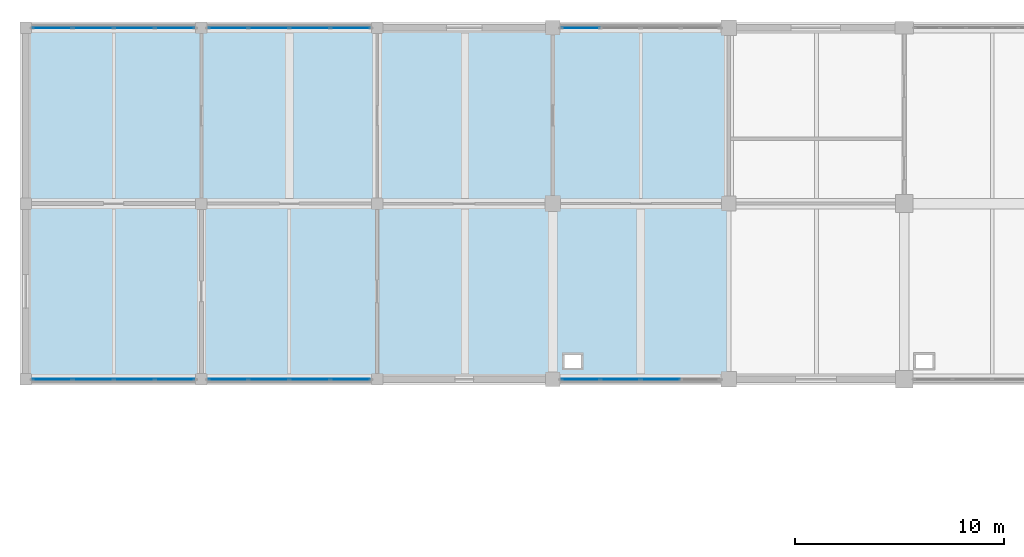
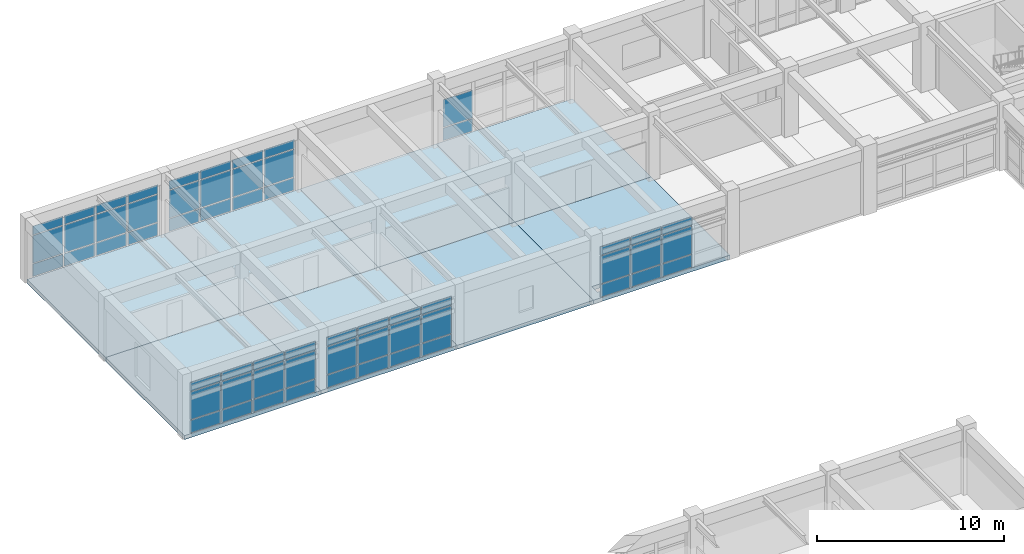
# One storey, part 66 of 99: 59 plates, 8 slabs, 6 elements without a shape of their own.
"""IFC4 building model written with IfcOpenShell, lengths in metres."""

from ifc_helpers import new_model, si_unit, direction, frame, origin, origin_2d, place, context, subcontext, project, spatial, polyline, rectangle, outline, extrude, material, layer, layer_set, type_object, element, aggregate, save


model = new_model("IFC4")

# Units and contexts
model_context = context("Model", 3, precision=1e-05, world=origin(), true_north=direction((0.0, 1.0)))
body_context = subcontext(model_context, "Body", "Model", "MODEL_VIEW")
ifc_project = project(units=[si_unit("LENGTHUNIT", "METRE"), si_unit("AREAUNIT", "SQUARE_METRE"), si_unit("VOLUMEUNIT", "CUBIC_METRE"), si_unit("PLANEANGLEUNIT", "RADIAN"), si_unit("MASSUNIT", "GRAM", prefix="KILO")], contexts=[model_context])

# Site, building, storey
site_placement = place(None, origin())
site = spatial("IfcSite", under=ifc_project, at=site_placement, CompositionType="ELEMENT")
building_placement = place(site_placement, origin())
building = spatial("IfcBuilding", under=site, at=building_placement, Name="Porcellanite Civic Hall", CompositionType="ELEMENT")
storey_placement = place(building_placement, frame((0.0, 0.0, 5.760009765625)))
storey = spatial("IfcBuildingStorey", under=building, at=storey_placement, Name="L01", CompositionType="ELEMENT", Elevation=5.760009765625)

# Curtain wall, plates
ifc_material_1 = material(Name="Anodised aluminium and solar laminated glass", Category="aluminium")
ifc_layer_1 = layer(ifc_material_1, 0.179931640625)
ifc_layer_set_1 = layer_set([ifc_layer_1], Name="Anodised aluminium and solar laminated glass")
curtain_wall_type = type_object("IfcCurtainWallType", Name="CW-SYS05", PredefinedType="NOTDEFINED", material=ifc_layer_set_1)
curtain_wall_1_placement = place(storey_placement, origin())
curtain_wall_1 = element("IfcCurtainWall", 1, at=curtain_wall_1_placement, inside=storey, type_object=curtain_wall_type, Name="Curtain wall CW-064", PredefinedType="NOTDEFINED")
ifc_material_2 = material(Name="Cyclone laminated solar-control low-E glass", Category="glass")
ifc_layer_2 = layer(ifc_material_2, 0.028076171875)
ifc_layer_set_2 = layer_set([ifc_layer_2], Name="Cyclone laminated solar-control low-E glass")
plate_type = type_object("IfcPlateType", Name="CWP-03", PredefinedType="CURTAIN_PANEL", material=ifc_layer_set_2)
plate_1_placement = place(storey_placement, frame((7.12548828125, 100.800048828125, 0.06005859375), z_axis=(0.0, 0.0, 1.0), x_axis=(-1.0, 0.0, 0.0)))
plate_1 = element("IfcPlate", 2, at=plate_1_placement, type_object=plate_type, Name="CW-064 panel 1.1", PredefinedType="CURTAIN_PANEL", context=body_context, shape_type="SweptSolid", body=[
    extrude(rectangle(XDim=1.85693359375, YDim=0.028076171875, at=origin_2d()), origin(), (0.0, 0.0, 1.0), 0.81005859375),
])
plate_2_placement = place(storey_placement, frame((7.12548828125, 100.800048828125, 0.929931640625), z_axis=(0.0, 0.0, 1.0), x_axis=(-1.0, 0.0, 0.0)))
plate_2 = element("IfcPlate", 3, at=plate_2_placement, type_object=plate_type, Name="CW-064 panel 1.2", PredefinedType="CURTAIN_PANEL", context=body_context, shape_type="SweptSolid", body=[
    extrude(rectangle(XDim=1.85693359375, YDim=0.028076171875, at=origin_2d()), origin(), (0.0, 0.0, 1.0), 1.7900390625),
])
plate_3_placement = place(storey_placement, frame((7.12548828125, 100.800048828125, 2.780029296875), z_axis=(0.0, 0.0, 1.0), x_axis=(-1.0, 0.0, 0.0)))
plate_3 = element("IfcPlate", 4, at=plate_3_placement, type_object=plate_type, Name="CW-064 panel 1.3", PredefinedType="CURTAIN_PANEL", context=body_context, shape_type="SweptSolid", body=[
    extrude(rectangle(XDim=1.85693359375, YDim=0.028076171875, at=origin_2d()), origin(), (0.0, 0.0, 1.0), 0.56005859375),
])
plate_4_placement = place(storey_placement, frame((5.180908203125, 100.800048828125, 0.06005859375), z_axis=(0.0, 0.0, 1.0), x_axis=(-1.0, 0.0, 0.0)))
plate_4 = element("IfcPlate", 5, at=plate_4_placement, type_object=plate_type, Name="CW-064 panel 2.1", PredefinedType="CURTAIN_PANEL", context=body_context, shape_type="SweptSolid", body=[
    extrude(rectangle(XDim=1.89208984375, YDim=0.028076171875, at=origin_2d()), origin(), (0.0, 0.0, 1.0), 0.81005859375),
])
plate_5_placement = place(storey_placement, frame((5.180908203125, 100.800048828125, 0.929931640625), z_axis=(0.0, 0.0, 1.0), x_axis=(-1.0, 0.0, 0.0)))
plate_5 = element("IfcPlate", 6, at=plate_5_placement, type_object=plate_type, Name="CW-064 panel 2.2", PredefinedType="CURTAIN_PANEL", context=body_context, shape_type="SweptSolid", body=[
    extrude(rectangle(XDim=1.89208984375, YDim=0.028076171875, at=origin_2d()), origin(), (0.0, 0.0, 1.0), 1.7900390625),
])
plate_6_placement = place(storey_placement, frame((5.180908203125, 100.800048828125, 2.780029296875), z_axis=(0.0, 0.0, 1.0), x_axis=(-1.0, 0.0, 0.0)))
plate_6 = element("IfcPlate", 7, at=plate_6_placement, type_object=plate_type, Name="CW-064 panel 2.3", PredefinedType="CURTAIN_PANEL", context=body_context, shape_type="SweptSolid", body=[
    extrude(rectangle(XDim=1.89208984375, YDim=0.028076171875, at=origin_2d()), origin(), (0.0, 0.0, 1.0), 0.56005859375),
])
plate_7_placement = place(storey_placement, frame((3.218994140625, 100.800048828125, 0.06005859375), z_axis=(0.0, 0.0, 1.0), x_axis=(-1.0, 0.0, 0.0)))
plate_7 = element("IfcPlate", 8, at=plate_7_placement, type_object=plate_type, Name="CW-064 panel 3.1", PredefinedType="CURTAIN_PANEL", context=body_context, shape_type="SweptSolid", body=[
    extrude(rectangle(XDim=1.89208984375, YDim=0.028076171875, at=origin_2d()), origin(), (0.0, 0.0, 1.0), 0.81005859375),
])
plate_8_placement = place(storey_placement, frame((3.218994140625, 100.800048828125, 0.929931640625), z_axis=(0.0, 0.0, 1.0), x_axis=(-1.0, 0.0, 0.0)))
plate_8 = element("IfcPlate", 9, at=plate_8_placement, type_object=plate_type, Name="CW-064 panel 3.2", PredefinedType="CURTAIN_PANEL", context=body_context, shape_type="SweptSolid", body=[
    extrude(rectangle(XDim=1.89208984375, YDim=0.028076171875, at=origin_2d()), origin(), (0.0, 0.0, 1.0), 1.7900390625),
])
plate_9_placement = place(storey_placement, frame((3.218994140625, 100.800048828125, 2.780029296875), z_axis=(0.0, 0.0, 1.0), x_axis=(-1.0, 0.0, 0.0)))
plate_9 = element("IfcPlate", 10, at=plate_9_placement, type_object=plate_type, Name="CW-064 panel 3.3", PredefinedType="CURTAIN_PANEL", context=body_context, shape_type="SweptSolid", body=[
    extrude(rectangle(XDim=1.89208984375, YDim=0.028076171875, at=origin_2d()), origin(), (0.0, 0.0, 1.0), 0.56005859375),
])
plate_10_placement = place(storey_placement, frame((1.2744140625, 100.800048828125, 0.06005859375), z_axis=(0.0, 0.0, 1.0), x_axis=(-1.0, 0.0, 0.0)))
plate_10 = element("IfcPlate", 11, at=plate_10_placement, type_object=plate_type, Name="CW-064 panel 4.1", PredefinedType="CURTAIN_PANEL", context=body_context, shape_type="SweptSolid", body=[
    extrude(rectangle(XDim=1.85693359375, YDim=0.028076171875, at=origin_2d()), origin(), (0.0, 0.0, 1.0), 0.81005859375),
])
plate_11_placement = place(storey_placement, frame((1.2744140625, 100.800048828125, 0.929931640625), z_axis=(0.0, 0.0, 1.0), x_axis=(-1.0, 0.0, 0.0)))
plate_11 = element("IfcPlate", 12, at=plate_11_placement, type_object=plate_type, Name="CW-064 panel 4.2", PredefinedType="CURTAIN_PANEL", context=body_context, shape_type="SweptSolid", body=[
    extrude(rectangle(XDim=1.85693359375, YDim=0.028076171875, at=origin_2d()), origin(), (0.0, 0.0, 1.0), 1.7900390625),
])
plate_12_placement = place(storey_placement, frame((1.2744140625, 100.800048828125, 2.780029296875), z_axis=(0.0, 0.0, 1.0), x_axis=(-1.0, 0.0, 0.0)))
plate_12 = element("IfcPlate", 13, at=plate_12_placement, type_object=plate_type, Name="CW-064 panel 4.3", PredefinedType="CURTAIN_PANEL", context=body_context, shape_type="SweptSolid", body=[
    extrude(rectangle(XDim=1.85693359375, YDim=0.028076171875, at=origin_2d()), origin(), (0.0, 0.0, 1.0), 0.56005859375),
])
aggregate(curtain_wall_1, [plate_1, plate_2, plate_3, plate_4, plate_5, plate_6, plate_7, plate_8, plate_9, plate_10, plate_11, plate_12])

curtain_wall_2_placement = place(storey_placement, origin())
curtain_wall_2 = element("IfcCurtainWall", 14, at=curtain_wall_2_placement, inside=storey, type_object=curtain_wall_type, Name="Curtain wall CW-065", PredefinedType="NOTDEFINED")
plate_13_placement = place(storey_placement, frame((1.2744140625, 117.60009765625, 0.06005859375), z_axis=(0.0, 0.0, 1.0), x_axis=(1.0, 0.0, 0.0)))
plate_13 = element("IfcPlate", 15, at=plate_13_placement, type_object=plate_type, Name="CW-065 panel 1.1", PredefinedType="CURTAIN_PANEL", context=body_context, shape_type="SweptSolid", body=[
    extrude(rectangle(XDim=1.85693359375, YDim=0.028076171875, at=origin_2d()), origin(), (0.0, 0.0, 1.0), 0.81005859375),
])
plate_14_placement = place(storey_placement, frame((1.2744140625, 117.60009765625, 0.929931640625), z_axis=(0.0, 0.0, 1.0), x_axis=(1.0, 0.0, 0.0)))
plate_14 = element("IfcPlate", 16, at=plate_14_placement, type_object=plate_type, Name="CW-065 panel 1.2", PredefinedType="CURTAIN_PANEL", context=body_context, shape_type="SweptSolid", body=[
    extrude(rectangle(XDim=1.85693359375, YDim=0.028076171875, at=origin_2d()), origin(), (0.0, 0.0, 1.0), 1.7900390625),
])
plate_15_placement = place(storey_placement, frame((1.2744140625, 117.60009765625, 2.780029296875), z_axis=(0.0, 0.0, 1.0), x_axis=(1.0, 0.0, 0.0)))
plate_15 = element("IfcPlate", 17, at=plate_15_placement, type_object=plate_type, Name="CW-065 panel 1.3", PredefinedType="CURTAIN_PANEL", context=body_context, shape_type="SweptSolid", body=[
    extrude(rectangle(XDim=1.85693359375, YDim=0.028076171875, at=origin_2d()), origin(), (0.0, 0.0, 1.0), 0.56005859375),
])
plate_16_placement = place(storey_placement, frame((3.218994140625, 117.60009765625, 0.06005859375), z_axis=(0.0, 0.0, 1.0), x_axis=(1.0, 0.0, 0.0)))
plate_16 = element("IfcPlate", 18, at=plate_16_placement, type_object=plate_type, Name="CW-065 panel 2.1", PredefinedType="CURTAIN_PANEL", context=body_context, shape_type="SweptSolid", body=[
    extrude(rectangle(XDim=1.89208984375, YDim=0.028076171875, at=origin_2d()), origin(), (0.0, 0.0, 1.0), 0.81005859375),
])
plate_17_placement = place(storey_placement, frame((3.218994140625, 117.60009765625, 0.929931640625), z_axis=(0.0, 0.0, 1.0), x_axis=(1.0, 0.0, 0.0)))
plate_17 = element("IfcPlate", 19, at=plate_17_placement, type_object=plate_type, Name="CW-065 panel 2.2", PredefinedType="CURTAIN_PANEL", context=body_context, shape_type="SweptSolid", body=[
    extrude(rectangle(XDim=1.89208984375, YDim=0.028076171875, at=origin_2d()), origin(), (0.0, 0.0, 1.0), 1.7900390625),
])
plate_18_placement = place(storey_placement, frame((3.218994140625, 117.60009765625, 2.780029296875), z_axis=(0.0, 0.0, 1.0), x_axis=(1.0, 0.0, 0.0)))
plate_18 = element("IfcPlate", 20, at=plate_18_placement, type_object=plate_type, Name="CW-065 panel 2.3", PredefinedType="CURTAIN_PANEL", context=body_context, shape_type="SweptSolid", body=[
    extrude(rectangle(XDim=1.89208984375, YDim=0.028076171875, at=origin_2d()), origin(), (0.0, 0.0, 1.0), 0.56005859375),
])
plate_19_placement = place(storey_placement, frame((5.180908203125, 117.60009765625, 0.06005859375), z_axis=(0.0, 0.0, 1.0), x_axis=(1.0, 0.0, 0.0)))
plate_19 = element("IfcPlate", 21, at=plate_19_placement, type_object=plate_type, Name="CW-065 panel 3.1", PredefinedType="CURTAIN_PANEL", context=body_context, shape_type="SweptSolid", body=[
    extrude(rectangle(XDim=1.89208984375, YDim=0.028076171875, at=origin_2d()), origin(), (0.0, 0.0, 1.0), 0.81005859375),
])
plate_20_placement = place(storey_placement, frame((5.180908203125, 117.60009765625, 0.929931640625), z_axis=(0.0, 0.0, 1.0), x_axis=(1.0, 0.0, 0.0)))
plate_20 = element("IfcPlate", 22, at=plate_20_placement, type_object=plate_type, Name="CW-065 panel 3.2", PredefinedType="CURTAIN_PANEL", context=body_context, shape_type="SweptSolid", body=[
    extrude(rectangle(XDim=1.89208984375, YDim=0.028076171875, at=origin_2d()), origin(), (0.0, 0.0, 1.0), 1.7900390625),
])
plate_21_placement = place(storey_placement, frame((5.180908203125, 117.60009765625, 2.780029296875), z_axis=(0.0, 0.0, 1.0), x_axis=(1.0, 0.0, 0.0)))
plate_21 = element("IfcPlate", 23, at=plate_21_placement, type_object=plate_type, Name="CW-065 panel 3.3", PredefinedType="CURTAIN_PANEL", context=body_context, shape_type="SweptSolid", body=[
    extrude(rectangle(XDim=1.89208984375, YDim=0.028076171875, at=origin_2d()), origin(), (0.0, 0.0, 1.0), 0.56005859375),
])
plate_22_placement = place(storey_placement, frame((7.12548828125, 117.60009765625, 0.06005859375), z_axis=(0.0, 0.0, 1.0), x_axis=(1.0, 0.0, 0.0)))
plate_22 = element("IfcPlate", 24, at=plate_22_placement, type_object=plate_type, Name="CW-065 panel 4.1", PredefinedType="CURTAIN_PANEL", context=body_context, shape_type="SweptSolid", body=[
    extrude(rectangle(XDim=1.85693359375, YDim=0.028076171875, at=origin_2d()), origin(), (0.0, 0.0, 1.0), 0.81005859375),
])
plate_23_placement = place(storey_placement, frame((7.12548828125, 117.60009765625, 0.929931640625), z_axis=(0.0, 0.0, 1.0), x_axis=(1.0, 0.0, 0.0)))
plate_23 = element("IfcPlate", 25, at=plate_23_placement, type_object=plate_type, Name="CW-065 panel 4.2", PredefinedType="CURTAIN_PANEL", context=body_context, shape_type="SweptSolid", body=[
    extrude(rectangle(XDim=1.85693359375, YDim=0.028076171875, at=origin_2d()), origin(), (0.0, 0.0, 1.0), 1.7900390625),
])
plate_24_placement = place(storey_placement, frame((7.12548828125, 117.60009765625, 2.780029296875), z_axis=(0.0, 0.0, 1.0), x_axis=(1.0, 0.0, 0.0)))
plate_24 = element("IfcPlate", 26, at=plate_24_placement, type_object=plate_type, Name="CW-065 panel 4.3", PredefinedType="CURTAIN_PANEL", context=body_context, shape_type="SweptSolid", body=[
    extrude(rectangle(XDim=1.85693359375, YDim=0.028076171875, at=origin_2d()), origin(), (0.0, 0.0, 1.0), 0.56005859375),
])
aggregate(curtain_wall_2, [plate_13, plate_14, plate_15, plate_16, plate_17, plate_18, plate_19, plate_20, plate_21, plate_22, plate_23, plate_24])

curtain_wall_3_placement = place(storey_placement, origin())
curtain_wall_3 = element("IfcCurtainWall", 27, at=curtain_wall_3_placement, inside=storey, type_object=curtain_wall_type, Name="Curtain wall CW-067", PredefinedType="NOTDEFINED")
plate_25_placement = place(storey_placement, frame((15.525390625, 100.800048828125, 0.06005859375), z_axis=(0.0, 0.0, 1.0), x_axis=(-1.0, 0.0, 0.0)))
plate_25 = element("IfcPlate", 28, at=plate_25_placement, type_object=plate_type, Name="CW-067 panel 1.1", PredefinedType="CURTAIN_PANEL", context=body_context, shape_type="SweptSolid", body=[
    extrude(rectangle(XDim=1.85693359375, YDim=0.028076171875, at=origin_2d()), origin(), (0.0, 0.0, 1.0), 0.81005859375),
])
plate_26_placement = place(storey_placement, frame((15.525390625, 100.800048828125, 0.929931640625), z_axis=(0.0, 0.0, 1.0), x_axis=(-1.0, 0.0, 0.0)))
plate_26 = element("IfcPlate", 29, at=plate_26_placement, type_object=plate_type, Name="CW-067 panel 1.2", PredefinedType="CURTAIN_PANEL", context=body_context, shape_type="SweptSolid", body=[
    extrude(rectangle(XDim=1.85693359375, YDim=0.028076171875, at=origin_2d()), origin(), (0.0, 0.0, 1.0), 1.7900390625),
])
plate_27_placement = place(storey_placement, frame((15.525390625, 100.800048828125, 2.780029296875), z_axis=(0.0, 0.0, 1.0), x_axis=(-1.0, 0.0, 0.0)))
plate_27 = element("IfcPlate", 30, at=plate_27_placement, type_object=plate_type, Name="CW-067 panel 1.3", PredefinedType="CURTAIN_PANEL", context=body_context, shape_type="SweptSolid", body=[
    extrude(rectangle(XDim=1.85693359375, YDim=0.028076171875, at=origin_2d()), origin(), (0.0, 0.0, 1.0), 0.56005859375),
])
plate_28_placement = place(storey_placement, frame((13.5810546875, 100.800048828125, 0.06005859375), z_axis=(0.0, 0.0, 1.0), x_axis=(-1.0, 0.0, 0.0)))
plate_28 = element("IfcPlate", 31, at=plate_28_placement, type_object=plate_type, Name="CW-067 panel 2.1", PredefinedType="CURTAIN_PANEL", context=body_context, shape_type="SweptSolid", body=[
    extrude(rectangle(XDim=1.89208984375, YDim=0.028076171875, at=origin_2d()), origin(), (0.0, 0.0, 1.0), 0.81005859375),
])
plate_29_placement = place(storey_placement, frame((13.5810546875, 100.800048828125, 0.929931640625), z_axis=(0.0, 0.0, 1.0), x_axis=(-1.0, 0.0, 0.0)))
plate_29 = element("IfcPlate", 32, at=plate_29_placement, type_object=plate_type, Name="CW-067 panel 2.2", PredefinedType="CURTAIN_PANEL", context=body_context, shape_type="SweptSolid", body=[
    extrude(rectangle(XDim=1.89208984375, YDim=0.028076171875, at=origin_2d()), origin(), (0.0, 0.0, 1.0), 1.7900390625),
])
plate_30_placement = place(storey_placement, frame((13.5810546875, 100.800048828125, 2.780029296875), z_axis=(0.0, 0.0, 1.0), x_axis=(-1.0, 0.0, 0.0)))
plate_30 = element("IfcPlate", 33, at=plate_30_placement, type_object=plate_type, Name="CW-067 panel 2.3", PredefinedType="CURTAIN_PANEL", context=body_context, shape_type="SweptSolid", body=[
    extrude(rectangle(XDim=1.89208984375, YDim=0.028076171875, at=origin_2d()), origin(), (0.0, 0.0, 1.0), 0.56005859375),
])
plate_31_placement = place(storey_placement, frame((11.618896484375, 100.800048828125, 0.06005859375), z_axis=(0.0, 0.0, 1.0), x_axis=(-1.0, 0.0, 0.0)))
plate_31 = element("IfcPlate", 34, at=plate_31_placement, type_object=plate_type, Name="CW-067 panel 3.1", PredefinedType="CURTAIN_PANEL", context=body_context, shape_type="SweptSolid", body=[
    extrude(rectangle(XDim=1.89208984375, YDim=0.028076171875, at=origin_2d()), origin(), (0.0, 0.0, 1.0), 0.81005859375),
])
plate_32_placement = place(storey_placement, frame((11.618896484375, 100.800048828125, 0.929931640625), z_axis=(0.0, 0.0, 1.0), x_axis=(-1.0, 0.0, 0.0)))
plate_32 = element("IfcPlate", 35, at=plate_32_placement, type_object=plate_type, Name="CW-067 panel 3.2", PredefinedType="CURTAIN_PANEL", context=body_context, shape_type="SweptSolid", body=[
    extrude(rectangle(XDim=1.89208984375, YDim=0.028076171875, at=origin_2d()), origin(), (0.0, 0.0, 1.0), 1.7900390625),
])
plate_33_placement = place(storey_placement, frame((11.618896484375, 100.800048828125, 2.780029296875), z_axis=(0.0, 0.0, 1.0), x_axis=(-1.0, 0.0, 0.0)))
plate_33 = element("IfcPlate", 36, at=plate_33_placement, type_object=plate_type, Name="CW-067 panel 3.3", PredefinedType="CURTAIN_PANEL", context=body_context, shape_type="SweptSolid", body=[
    extrude(rectangle(XDim=1.89208984375, YDim=0.028076171875, at=origin_2d()), origin(), (0.0, 0.0, 1.0), 0.56005859375),
])
plate_34_placement = place(storey_placement, frame((9.674560546875, 100.800048828125, 0.06005859375), z_axis=(0.0, 0.0, 1.0), x_axis=(-1.0, 0.0, 0.0)))
plate_34 = element("IfcPlate", 37, at=plate_34_placement, type_object=plate_type, Name="CW-067 panel 4.1", PredefinedType="CURTAIN_PANEL", context=body_context, shape_type="SweptSolid", body=[
    extrude(rectangle(XDim=1.85693359375, YDim=0.028076171875, at=origin_2d()), origin(), (0.0, 0.0, 1.0), 0.81005859375),
])
plate_35_placement = place(storey_placement, frame((9.674560546875, 100.800048828125, 0.929931640625), z_axis=(0.0, 0.0, 1.0), x_axis=(-1.0, 0.0, 0.0)))
plate_35 = element("IfcPlate", 38, at=plate_35_placement, type_object=plate_type, Name="CW-067 panel 4.2", PredefinedType="CURTAIN_PANEL", context=body_context, shape_type="SweptSolid", body=[
    extrude(rectangle(XDim=1.85693359375, YDim=0.028076171875, at=origin_2d()), origin(), (0.0, 0.0, 1.0), 1.7900390625),
])
plate_36_placement = place(storey_placement, frame((9.674560546875, 100.800048828125, 2.780029296875), z_axis=(0.0, 0.0, 1.0), x_axis=(-1.0, 0.0, 0.0)))
plate_36 = element("IfcPlate", 39, at=plate_36_placement, type_object=plate_type, Name="CW-067 panel 4.3", PredefinedType="CURTAIN_PANEL", context=body_context, shape_type="SweptSolid", body=[
    extrude(rectangle(XDim=1.85693359375, YDim=0.028076171875, at=origin_2d()), origin(), (0.0, 0.0, 1.0), 0.56005859375),
])
aggregate(curtain_wall_3, [plate_25, plate_26, plate_27, plate_28, plate_29, plate_30, plate_31, plate_32, plate_33, plate_34, plate_35, plate_36])

curtain_wall_4_placement = place(storey_placement, origin())
curtain_wall_4 = element("IfcCurtainWall", 40, at=curtain_wall_4_placement, inside=storey, type_object=curtain_wall_type, Name="Curtain wall CW-068", PredefinedType="NOTDEFINED")
plate_37_placement = place(storey_placement, frame((9.674560546875, 117.60009765625, 0.06005859375), z_axis=(0.0, 0.0, 1.0), x_axis=(1.0, 0.0, 0.0)))
plate_37 = element("IfcPlate", 41, at=plate_37_placement, type_object=plate_type, Name="CW-068 panel 1.1", PredefinedType="CURTAIN_PANEL", context=body_context, shape_type="SweptSolid", body=[
    extrude(rectangle(XDim=1.85693359375, YDim=0.028076171875, at=origin_2d()), origin(), (0.0, 0.0, 1.0), 0.81005859375),
])
plate_38_placement = place(storey_placement, frame((9.674560546875, 117.60009765625, 0.929931640625), z_axis=(0.0, 0.0, 1.0), x_axis=(1.0, 0.0, 0.0)))
plate_38 = element("IfcPlate", 42, at=plate_38_placement, type_object=plate_type, Name="CW-068 panel 1.2", PredefinedType="CURTAIN_PANEL", context=body_context, shape_type="SweptSolid", body=[
    extrude(rectangle(XDim=1.85693359375, YDim=0.028076171875, at=origin_2d()), origin(), (0.0, 0.0, 1.0), 1.7900390625),
])
plate_39_placement = place(storey_placement, frame((9.674560546875, 117.60009765625, 2.780029296875), z_axis=(0.0, 0.0, 1.0), x_axis=(1.0, 0.0, 0.0)))
plate_39 = element("IfcPlate", 43, at=plate_39_placement, type_object=plate_type, Name="CW-068 panel 1.3", PredefinedType="CURTAIN_PANEL", context=body_context, shape_type="SweptSolid", body=[
    extrude(rectangle(XDim=1.85693359375, YDim=0.028076171875, at=origin_2d()), origin(), (0.0, 0.0, 1.0), 0.56005859375),
])
plate_40_placement = place(storey_placement, frame((11.618896484375, 117.60009765625, 0.06005859375), z_axis=(0.0, 0.0, 1.0), x_axis=(1.0, 0.0, 0.0)))
plate_40 = element("IfcPlate", 44, at=plate_40_placement, type_object=plate_type, Name="CW-068 panel 2.1", PredefinedType="CURTAIN_PANEL", context=body_context, shape_type="SweptSolid", body=[
    extrude(rectangle(XDim=1.89208984375, YDim=0.028076171875, at=origin_2d()), origin(), (0.0, 0.0, 1.0), 0.81005859375),
])
plate_41_placement = place(storey_placement, frame((11.618896484375, 117.60009765625, 0.929931640625), z_axis=(0.0, 0.0, 1.0), x_axis=(1.0, 0.0, 0.0)))
plate_41 = element("IfcPlate", 45, at=plate_41_placement, type_object=plate_type, Name="CW-068 panel 2.2", PredefinedType="CURTAIN_PANEL", context=body_context, shape_type="SweptSolid", body=[
    extrude(rectangle(XDim=1.89208984375, YDim=0.028076171875, at=origin_2d()), origin(), (0.0, 0.0, 1.0), 1.7900390625),
])
plate_42_placement = place(storey_placement, frame((11.618896484375, 117.60009765625, 2.780029296875), z_axis=(0.0, 0.0, 1.0), x_axis=(1.0, 0.0, 0.0)))
plate_42 = element("IfcPlate", 46, at=plate_42_placement, type_object=plate_type, Name="CW-068 panel 2.3", PredefinedType="CURTAIN_PANEL", context=body_context, shape_type="SweptSolid", body=[
    extrude(rectangle(XDim=1.89208984375, YDim=0.028076171875, at=origin_2d()), origin(), (0.0, 0.0, 1.0), 0.56005859375),
])
plate_43_placement = place(storey_placement, frame((13.5810546875, 117.60009765625, 0.06005859375), z_axis=(0.0, 0.0, 1.0), x_axis=(1.0, 0.0, 0.0)))
plate_43 = element("IfcPlate", 47, at=plate_43_placement, type_object=plate_type, Name="CW-068 panel 3.1", PredefinedType="CURTAIN_PANEL", context=body_context, shape_type="SweptSolid", body=[
    extrude(rectangle(XDim=1.89208984375, YDim=0.028076171875, at=origin_2d()), origin(), (0.0, 0.0, 1.0), 0.81005859375),
])
plate_44_placement = place(storey_placement, frame((13.5810546875, 117.60009765625, 0.929931640625), z_axis=(0.0, 0.0, 1.0), x_axis=(1.0, 0.0, 0.0)))
plate_44 = element("IfcPlate", 48, at=plate_44_placement, type_object=plate_type, Name="CW-068 panel 3.2", PredefinedType="CURTAIN_PANEL", context=body_context, shape_type="SweptSolid", body=[
    extrude(rectangle(XDim=1.89208984375, YDim=0.028076171875, at=origin_2d()), origin(), (0.0, 0.0, 1.0), 1.7900390625),
])
plate_45_placement = place(storey_placement, frame((13.5810546875, 117.60009765625, 2.780029296875), z_axis=(0.0, 0.0, 1.0), x_axis=(1.0, 0.0, 0.0)))
plate_45 = element("IfcPlate", 49, at=plate_45_placement, type_object=plate_type, Name="CW-068 panel 3.3", PredefinedType="CURTAIN_PANEL", context=body_context, shape_type="SweptSolid", body=[
    extrude(rectangle(XDim=1.89208984375, YDim=0.028076171875, at=origin_2d()), origin(), (0.0, 0.0, 1.0), 0.56005859375),
])
plate_46_placement = place(storey_placement, frame((15.525390625, 117.60009765625, 0.06005859375), z_axis=(0.0, 0.0, 1.0), x_axis=(1.0, 0.0, 0.0)))
plate_46 = element("IfcPlate", 50, at=plate_46_placement, type_object=plate_type, Name="CW-068 panel 4.1", PredefinedType="CURTAIN_PANEL", context=body_context, shape_type="SweptSolid", body=[
    extrude(rectangle(XDim=1.85693359375, YDim=0.028076171875, at=origin_2d()), origin(), (0.0, 0.0, 1.0), 0.81005859375),
])
plate_47_placement = place(storey_placement, frame((15.525390625, 117.60009765625, 0.929931640625), z_axis=(0.0, 0.0, 1.0), x_axis=(1.0, 0.0, 0.0)))
plate_47 = element("IfcPlate", 51, at=plate_47_placement, type_object=plate_type, Name="CW-068 panel 4.2", PredefinedType="CURTAIN_PANEL", context=body_context, shape_type="SweptSolid", body=[
    extrude(rectangle(XDim=1.85693359375, YDim=0.028076171875, at=origin_2d()), origin(), (0.0, 0.0, 1.0), 1.7900390625),
])
plate_48_placement = place(storey_placement, frame((15.525390625, 117.60009765625, 2.780029296875), z_axis=(0.0, 0.0, 1.0), x_axis=(1.0, 0.0, 0.0)))
plate_48 = element("IfcPlate", 52, at=plate_48_placement, type_object=plate_type, Name="CW-068 panel 4.3", PredefinedType="CURTAIN_PANEL", context=body_context, shape_type="SweptSolid", body=[
    extrude(rectangle(XDim=1.85693359375, YDim=0.028076171875, at=origin_2d()), origin(), (0.0, 0.0, 1.0), 0.56005859375),
])
aggregate(curtain_wall_4, [plate_37, plate_38, plate_39, plate_40, plate_41, plate_42, plate_43, plate_44, plate_45, plate_46, plate_47, plate_48])

curtain_wall_5_placement = place(storey_placement, origin())
curtain_wall_5 = element("IfcCurtainWall", 53, at=curtain_wall_5_placement, inside=storey, type_object=curtain_wall_type, Name="Curtain wall CW-072", PredefinedType="NOTDEFINED")
plate_49_placement = place(storey_placement, frame((30.3466796875, 100.800048828125, 0.06005859375), z_axis=(0.0, 0.0, 1.0), x_axis=(-1.0, 0.0, 0.0)))
plate_49 = element("IfcPlate", 54, at=plate_49_placement, type_object=plate_type, Name="CW-072 panel 2.1", PredefinedType="CURTAIN_PANEL", context=body_context, shape_type="SweptSolid", body=[
    extrude(rectangle(XDim=1.84814453125, YDim=0.028076171875, at=origin_2d()), origin(), (0.0, 0.0, 1.0), 0.81005859375),
])
plate_50_placement = place(storey_placement, frame((30.3466796875, 100.800048828125, 0.929931640625), z_axis=(0.0, 0.0, 1.0), x_axis=(-1.0, 0.0, 0.0)))
plate_50 = element("IfcPlate", 55, at=plate_50_placement, type_object=plate_type, Name="CW-072 panel 2.2", PredefinedType="CURTAIN_PANEL", context=body_context, shape_type="SweptSolid", body=[
    extrude(rectangle(XDim=1.84814453125, YDim=0.028076171875, at=origin_2d()), origin(), (0.0, 0.0, 1.0), 1.7900390625),
])
plate_51_placement = place(storey_placement, frame((30.3466796875, 100.800048828125, 2.780029296875), z_axis=(0.0, 0.0, 1.0), x_axis=(-1.0, 0.0, 0.0)))
plate_51 = element("IfcPlate", 56, at=plate_51_placement, type_object=plate_type, Name="CW-072 panel 2.3", PredefinedType="CURTAIN_PANEL", context=body_context, shape_type="SweptSolid", body=[
    extrude(rectangle(XDim=1.84814453125, YDim=0.028076171875, at=origin_2d()), origin(), (0.0, 0.0, 1.0), 0.56005859375),
])
plate_52_placement = place(storey_placement, frame((28.428466796875, 100.800048828125, 0.06005859375), z_axis=(0.0, 0.0, 1.0), x_axis=(-1.0, 0.0, 0.0)))
plate_52 = element("IfcPlate", 57, at=plate_52_placement, type_object=plate_type, Name="CW-072 panel 3.1", PredefinedType="CURTAIN_PANEL", context=body_context, shape_type="SweptSolid", body=[
    extrude(rectangle(XDim=1.84814453125, YDim=0.028076171875, at=origin_2d()), origin(), (0.0, 0.0, 1.0), 0.81005859375),
])
plate_53_placement = place(storey_placement, frame((28.428466796875, 100.800048828125, 0.929931640625), z_axis=(0.0, 0.0, 1.0), x_axis=(-1.0, 0.0, 0.0)))
plate_53 = element("IfcPlate", 58, at=plate_53_placement, type_object=plate_type, Name="CW-072 panel 3.2", PredefinedType="CURTAIN_PANEL", context=body_context, shape_type="SweptSolid", body=[
    extrude(rectangle(XDim=1.84814453125, YDim=0.028076171875, at=origin_2d()), origin(), (0.0, 0.0, 1.0), 1.7900390625),
])
plate_54_placement = place(storey_placement, frame((28.428466796875, 100.800048828125, 2.780029296875), z_axis=(0.0, 0.0, 1.0), x_axis=(-1.0, 0.0, 0.0)))
plate_54 = element("IfcPlate", 59, at=plate_54_placement, type_object=plate_type, Name="CW-072 panel 3.3", PredefinedType="CURTAIN_PANEL", context=body_context, shape_type="SweptSolid", body=[
    extrude(rectangle(XDim=1.84814453125, YDim=0.028076171875, at=origin_2d()), origin(), (0.0, 0.0, 1.0), 0.56005859375),
])
plate_55_placement = place(storey_placement, frame((26.527587890625, 100.800048828125, 0.06005859375), z_axis=(0.0, 0.0, 1.0), x_axis=(-1.0, 0.0, 0.0)))
plate_55 = element("IfcPlate", 60, at=plate_55_placement, type_object=plate_type, Name="CW-072 panel 4.1", PredefinedType="CURTAIN_PANEL", context=body_context, shape_type="SweptSolid", body=[
    extrude(rectangle(XDim=1.813232421875, YDim=0.028076171875, at=origin_2d()), origin(), (0.0, 0.0, 1.0), 0.81005859375),
])
plate_56_placement = place(storey_placement, frame((26.527587890625, 100.800048828125, 0.929931640625), z_axis=(0.0, 0.0, 1.0), x_axis=(-1.0, 0.0, 0.0)))
plate_56 = element("IfcPlate", 61, at=plate_56_placement, type_object=plate_type, Name="CW-072 panel 4.2", PredefinedType="CURTAIN_PANEL", context=body_context, shape_type="SweptSolid", body=[
    extrude(rectangle(XDim=1.813232421875, YDim=0.028076171875, at=origin_2d()), origin(), (0.0, 0.0, 1.0), 1.7900390625),
])
plate_57_placement = place(storey_placement, frame((26.527587890625, 100.800048828125, 2.780029296875), z_axis=(0.0, 0.0, 1.0), x_axis=(-1.0, 0.0, 0.0)))
plate_57 = element("IfcPlate", 62, at=plate_57_placement, type_object=plate_type, Name="CW-072 panel 4.3", PredefinedType="CURTAIN_PANEL", context=body_context, shape_type="SweptSolid", body=[
    extrude(rectangle(XDim=1.813232421875, YDim=0.028076171875, at=origin_2d()), origin(), (0.0, 0.0, 1.0), 0.56005859375),
])
aggregate(curtain_wall_5, [plate_49, plate_50, plate_51, plate_52, plate_53, plate_54, plate_55, plate_56, plate_57])

curtain_wall_6_placement = place(storey_placement, origin())
curtain_wall_6 = element("IfcCurtainWall", 63, at=curtain_wall_6_placement, inside=storey, type_object=curtain_wall_type, Name="Curtain wall CW-073", PredefinedType="NOTDEFINED")
plate_58_placement = place(storey_placement, frame((26.527587890625, 117.60009765625, 0.06005859375), z_axis=(0.0, 0.0, 1.0), x_axis=(1.0, 0.0, 0.0)))
plate_58 = element("IfcPlate", 64, at=plate_58_placement, type_object=plate_type, Name="CW-073 panel 1.1", PredefinedType="CURTAIN_PANEL", context=body_context, shape_type="SweptSolid", body=[
    extrude(rectangle(XDim=1.813232421875, YDim=0.028076171875, at=origin_2d()), origin(), (0.0, 0.0, 1.0), 0.81005859375),
])
plate_59_placement = place(storey_placement, frame((26.527587890625, 117.60009765625, 0.929931640625), z_axis=(0.0, 0.0, 1.0), x_axis=(1.0, 0.0, 0.0)))
plate_59 = element("IfcPlate", 65, at=plate_59_placement, type_object=plate_type, Name="CW-073 panel 1.2", PredefinedType="CURTAIN_PANEL", context=body_context, shape_type="SweptSolid", body=[
    extrude(rectangle(XDim=1.813232421875, YDim=0.028076171875, at=origin_2d()), origin(), (0.0, 0.0, 1.0), 1.7900390625),
])
aggregate(curtain_wall_6, [plate_58, plate_59])

# Slabs
ifc_material_3 = material(Name="Concrete N40 (40 MPa)", Category="concrete")
ifc_layer_3 = layer(ifc_material_3, 0.25)
ifc_layer_set_3 = layer_set([ifc_layer_3], Name="Concrete N40 (40 MPa)")
slab_type_1 = type_object("IfcSlabType", Name="SL-FL250", PredefinedType="FLOOR", material=ifc_layer_set_3)
slab_1_placement = place(storey_placement, frame((0.0, 0.0, -0.25)))
element("IfcSlab", 66, at=slab_1_placement, inside=storey, type_object=slab_type_1, Name="Slab L01 bay 1-14", PredefinedType="FLOOR", context=body_context, shape_type="SweptSolid", body=[
    extrude(outline(polyline([(0.0, 109.199951171875), (8.39990234375, 109.199951171875), (8.39990234375, 117.60009765625), (0.0, 117.60009765625), (0.0, 109.199951171875)])), origin(), (0.0, 0.0, 1.0), 0.25),
])
slab_2_placement = place(storey_placement, frame((0.0, 0.0, -0.25)))
element("IfcSlab", 67, at=slab_2_placement, inside=storey, type_object=slab_type_1, Name="Slab L01 bay 2-13", PredefinedType="FLOOR", context=body_context, shape_type="SweptSolid", body=[
    extrude(outline(polyline([(8.39990234375, 100.800048828125), (16.800048828125, 100.800048828125), (16.800048828125, 109.199951171875), (8.39990234375, 109.199951171875), (8.39990234375, 100.800048828125)])), origin(), (0.0, 0.0, 1.0), 0.25),
])
slab_3_placement = place(storey_placement, frame((0.0, 0.0, -0.25)))
element("IfcSlab", 68, at=slab_3_placement, inside=storey, type_object=slab_type_1, Name="Slab L01 bay 2-14", PredefinedType="FLOOR", context=body_context, shape_type="SweptSolid", body=[
    extrude(outline(polyline([(8.39990234375, 109.199951171875), (16.800048828125, 109.199951171875), (16.800048828125, 117.60009765625), (8.39990234375, 117.60009765625), (8.39990234375, 109.199951171875)])), origin(), (0.0, 0.0, 1.0), 0.25),
])
slab_4_placement = place(storey_placement, frame((0.0, 0.0, -0.25)))
element("IfcSlab", 69, at=slab_4_placement, inside=storey, type_object=slab_type_1, Name="Slab L01 bay 3-13", PredefinedType="FLOOR", context=body_context, shape_type="SweptSolid", body=[
    extrude(outline(polyline([(16.800048828125, 100.800048828125), (25.199951171875, 100.800048828125), (25.199951171875, 109.199951171875), (16.800048828125, 109.199951171875), (16.800048828125, 100.800048828125)])), origin(), (0.0, 0.0, 1.0), 0.25),
])
slab_5_placement = place(storey_placement, frame((0.0, 0.0, -0.25)))
element("IfcSlab", 70, at=slab_5_placement, inside=storey, type_object=slab_type_1, Name="Slab L01 bay 4-14", PredefinedType="FLOOR", context=body_context, shape_type="SweptSolid", body=[
    extrude(outline(polyline([(25.199951171875, 109.199951171875), (33.60009765625, 109.199951171875), (33.60009765625, 117.60009765625), (25.199951171875, 117.60009765625), (25.199951171875, 109.199951171875)])), origin(), (0.0, 0.0, 1.0), 0.25),
])
ifc_material_4 = material(Name="Concrete N40 (40 MPa)", Category="concrete")
ifc_layer_4 = layer(ifc_material_4, 0.260009765625)
ifc_layer_set_4 = layer_set([ifc_layer_4], Name="Concrete N40 (40 MPa)")
slab_type_2 = type_object("IfcSlabType", Name="SL-FL260", PredefinedType="FLOOR", material=ifc_layer_set_4)
slab_6_placement = place(storey_placement, frame((0.0, 0.0, -0.260009765625)))
element("IfcSlab", 71, at=slab_6_placement, inside=storey, type_object=slab_type_2, Name="Slab L01 bay 1-13", PredefinedType="FLOOR", context=body_context, shape_type="SweptSolid", body=[
    extrude(outline(polyline([(0.0, 100.800048828125), (8.39990234375, 100.800048828125), (8.39990234375, 109.199951171875), (0.0, 109.199951171875), (0.0, 100.800048828125)])), origin(), (0.0, 0.0, 1.0), 0.260009765625),
])
slab_7_placement = place(storey_placement, frame((0.0, 0.0, -0.260009765625)))
element("IfcSlab", 72, at=slab_7_placement, inside=storey, type_object=slab_type_2, Name="Slab L01 bay 3-14", PredefinedType="FLOOR", context=body_context, shape_type="SweptSolid", body=[
    extrude(outline(polyline([(16.800048828125, 109.199951171875), (25.199951171875, 109.199951171875), (25.199951171875, 117.60009765625), (16.800048828125, 117.60009765625), (16.800048828125, 109.199951171875)])), origin(), (0.0, 0.0, 1.0), 0.260009765625),
])
slab_8_placement = place(storey_placement, frame((0.0, 0.0, -0.260009765625)))
element("IfcSlab", 73, at=slab_8_placement, inside=storey, type_object=slab_type_2, Name="Slab L01 bay 4-13", PredefinedType="FLOOR", context=body_context, shape_type="SweptSolid", body=[
    extrude(outline(polyline([(25.199951171875, 100.800048828125), (33.60009765625, 100.800048828125), (33.60009765625, 109.199951171875), (25.199951171875, 109.199951171875), (25.199951171875, 100.800048828125)]), holes=[polyline([(25.75, 101.35009765625), (26.550048828125, 101.35009765625), (26.550048828125, 101.949951171875), (25.75, 101.949951171875), (25.75, 101.35009765625)])]), origin(), (0.0, 0.0, 1.0), 0.260009765625),
])

save(model, "model.ifc")
